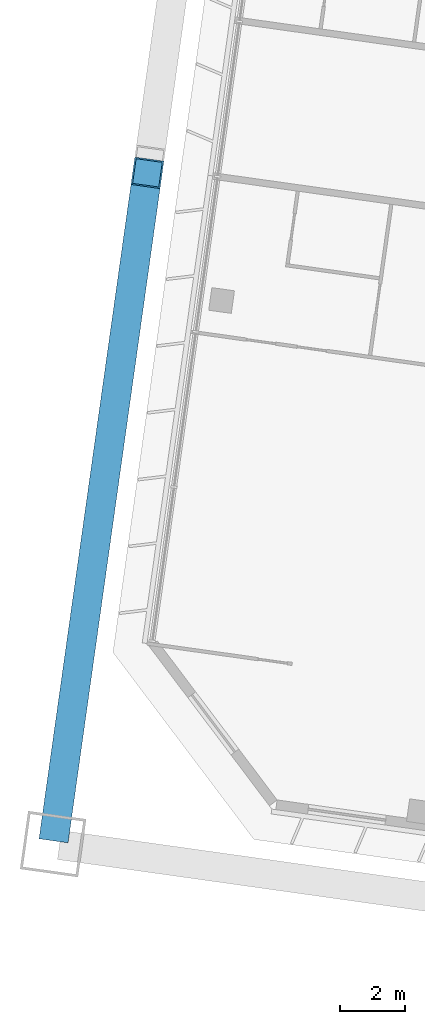
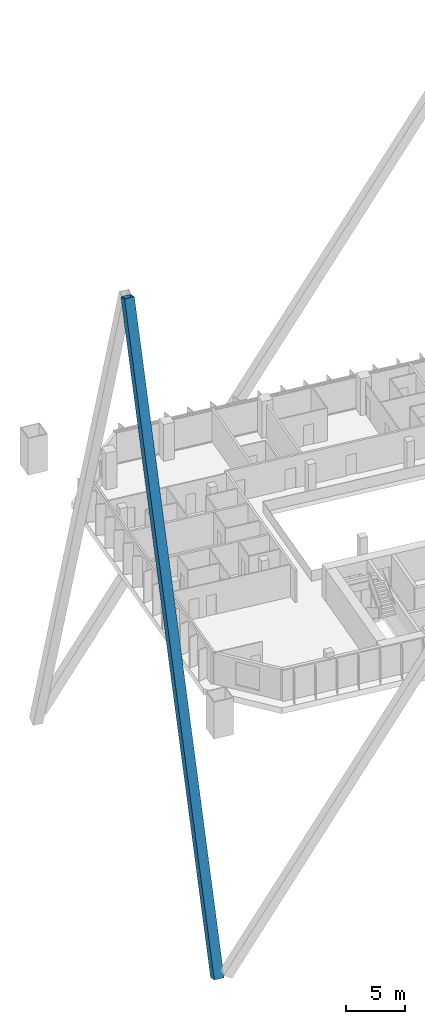
# One storey, part 3 of 49: 1 member.
"""IFC4 building model written with IfcOpenShell, lengths in metres."""

from ifc_helpers import new_model, si_unit, direction, frame, origin, origin_2d, place, context, subcontext, project, spatial, hollow_rectangle, extrude, material, material_profile, profile_set, type_object, element, save


model = new_model("IFC4")

# Units and contexts
model_context = context("Model", 3, precision=1e-05, world=origin(), true_north=direction((0.0, 1.0)))
body_context = subcontext(model_context, "Body", "Model", "MODEL_VIEW")
ifc_project = project(units=[si_unit("LENGTHUNIT", "METRE"), si_unit("AREAUNIT", "SQUARE_METRE"), si_unit("VOLUMEUNIT", "CUBIC_METRE"), si_unit("PLANEANGLEUNIT", "RADIAN"), si_unit("MASSUNIT", "GRAM", prefix="KILO")], contexts=[model_context])

# Site, building, storey
site_placement = place(None, origin())
site = spatial("IfcSite", under=ifc_project, at=site_placement, CompositionType="ELEMENT")
building_placement = place(site_placement, origin())
building = spatial("IfcBuilding", under=site, at=building_placement, Name="Mirante Cascada Hotel Towers", CompositionType="ELEMENT")
storey_placement = place(building_placement, frame((0.0, 0.0, 66.1)))
storey = spatial("IfcBuildingStorey", under=building, at=storey_placement, Name="L13", CompositionType="ELEMENT", Elevation=66.1)

# Member
ifc_material = material(Name="Steel ASTM A572 Gr 50", Category="steel")
ifc_material_profile = material_profile(ifc_material, hollow_rectangle(XDim=0.9, YDim=0.9, WallThickness=0.045, at=origin_2d()), Name="Box brace 900x900x45 ASTM A572 Gr 50")
ifc_profile_set = profile_set([ifc_material_profile], Name="Steel ASTM A572 Gr 50")
member_type = type_object("IfcMemberType", Name="Box brace 900x900x45 ASTM A572 Gr 50", PredefinedType="BRACE", material=ifc_profile_set)
member_placement = place(storey_placement, frame((-106.1293, -11.9761, -25.815), z_axis=(0.0465147, 0.3309699, 0.9424942), x_axis=(-0.9902681, 0.1391729, 0.0)))
element("IfcMember", 1, at=member_placement, inside=storey, type_object=member_type, Name="brace T1 L13 7", PredefinedType="BRACE", context=body_context, shape_type="SweptSolid", body=[
    extrude(hollow_rectangle(XDim=0.9, YDim=0.9, WallThickness=0.045, at=origin_2d()), origin(), (0.0, 0.0, 1.0), 60.7055),
])

save(model, "model.ifc")
